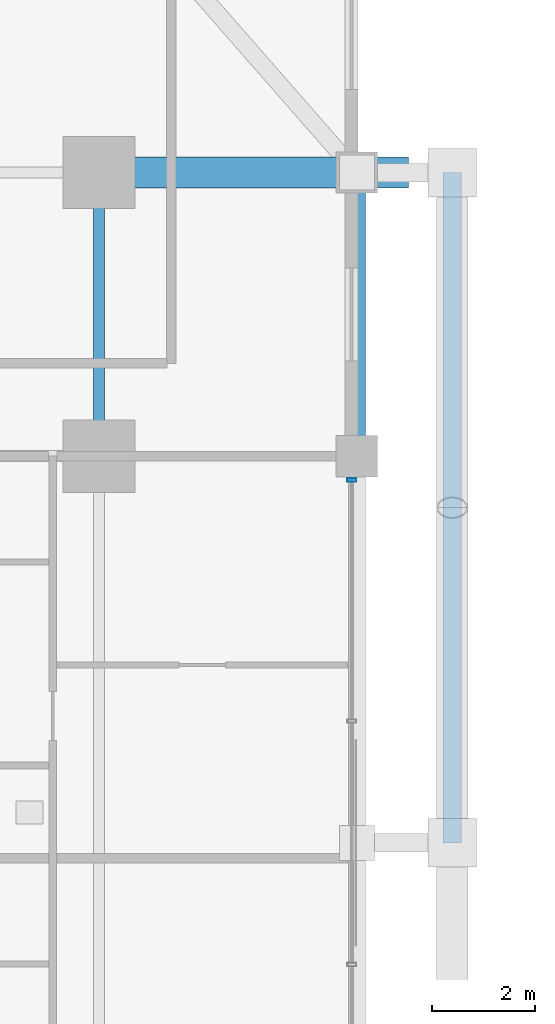
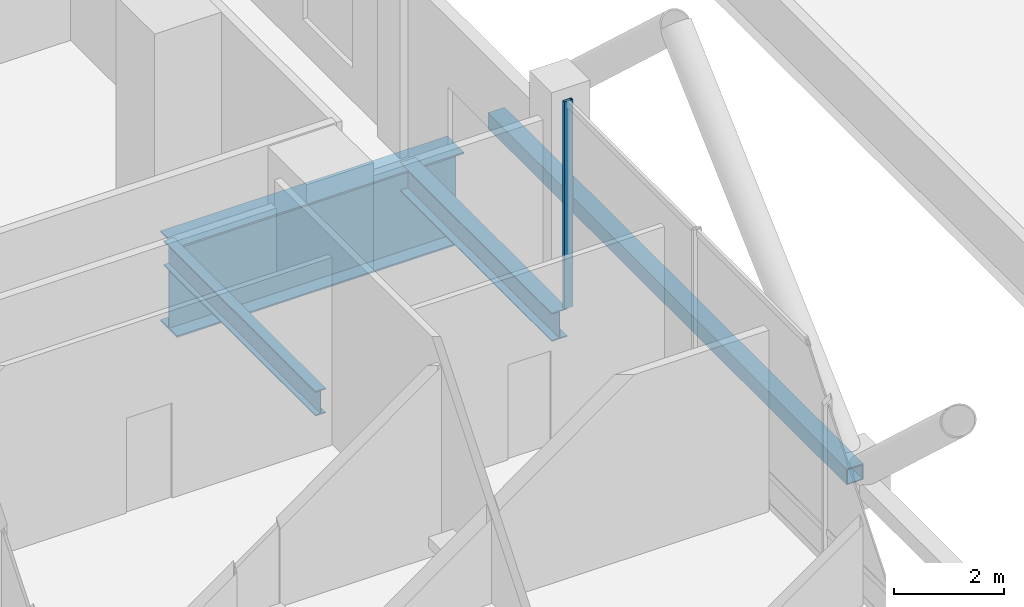
# One storey, part 20 of 33: 3 beams, 2 members, 1 element without a shape of its own.
"""IFC4 building model written with IfcOpenShell, lengths in metres."""

import ifcopenshell
import ifcopenshell.guid

model = None  # the IFC model being written
_history = None  # IfcOwnerHistory: only IFC2X3 demands one
_inside = {}  # id of a spatial element -> (the spatial element, [elements in it])
_under = {}  # id of a project, library or spatial element -> (it, [spatial elements below it])
_declared = {}  # id of a project -> (the project, [libraries it declares])
_typed = {}  # id of a type object -> (the type object, [elements of that type])
_made_of = {}  # id of a material, layer set ... -> (it, [elements and type objects made of it])


def new_model(schema):
    """Start an empty IFC model of exactly this schema.

    Asked for "IFC4X3", IfcOpenShell would pick the latest addendum, in which some entities
    have other attributes; the version numbers below select the first issue.
    IFC2X3 requires an IfcOwnerHistory on every rooted entity: one is made here for all.
    """
    global model, _history
    if schema == "IFC4X3":
        model = ifcopenshell.file(schema_version=(4, 3, 0, 0))
    else:
        model = ifcopenshell.file(schema=schema)
    _inside.clear()
    _under.clear()
    _declared.clear()
    _typed.clear()
    _made_of.clear()
    _history = None
    if model.schema == "IFC2X3":
        org = make("IfcOrganization", Name="unknown")
        user = make(
            "IfcPersonAndOrganization",
            ThePerson=make("IfcPerson", FamilyName="unknown"),
            TheOrganization=org,
        )
        app = make(
            "IfcApplication",
            ApplicationDeveloper=org,
            Version="unknown",
            ApplicationFullName="unknown",
            ApplicationIdentifier="unknown",
        )
        _history = make(
            "IfcOwnerHistory",
            OwningUser=user,
            OwningApplication=app,
            ChangeAction="ADDED",
            CreationDate=0,
        )
    return model


def make(cls, **values):
    """One entity of the class cls with the attributes given. An attribute that is None is left unset."""
    return model.create_entity(
        cls, **{name: value for name, value in values.items() if value is not None}
    )


def rooted(cls, **values):
    """An entity with a GlobalId (a new one), such as an element, a storey or a relation."""
    return make(cls, GlobalId=ifcopenshell.guid.new(), OwnerHistory=_history, **values)


def si_unit(unit_type, name, prefix=None):
    """IfcSIUnit, for example si_unit("LENGTHUNIT", "METRE", prefix="MILLI")."""
    return make("IfcSIUnit", UnitType=unit_type, Prefix=prefix, Name=name)


def assignment(units):
    """IfcUnitAssignment: the units of a project."""
    return None if units is None else make("IfcUnitAssignment", Units=units)


def point(xyz):
    """IfcCartesianPoint."""
    return None if xyz is None else make("IfcCartesianPoint", Coordinates=xyz)


def direction(xyz):
    """IfcDirection."""
    return None if xyz is None else make("IfcDirection", DirectionRatios=xyz)


def frame(location, z_axis=None, x_axis=None):
    """IfcAxis2Placement3D, a coordinate frame: its origin and axes. An axis left out is left unset."""
    return make(
        "IfcAxis2Placement3D",
        Location=point(location),
        Axis=direction(z_axis),
        RefDirection=direction(x_axis),
    )


def frame_2d(location, x_axis=None):
    """IfcAxis2Placement2D, a coordinate frame in the plane: its origin and x axis."""
    return make(
        "IfcAxis2Placement2D", Location=point(location), RefDirection=direction(x_axis)
    )


def origin():
    """The frame at (0, 0, 0) with its axes left unset."""
    return frame((0.0, 0.0, 0.0))


def origin_2d():
    """The frame at (0, 0) in the plane with its x axis left unset."""
    return frame_2d((0.0, 0.0))


def place(relative_to, where):
    """IfcLocalPlacement: puts the frame where relative to a parent placement (None: the world)."""
    return make(
        "IfcLocalPlacement", PlacementRelTo=relative_to, RelativePlacement=where
    )


def context(
    kind, dimensions, precision=None, world=None, true_north=None, identifier=None
):
    """IfcGeometricRepresentationContext, for example the 3D "Model" context."""
    return make(
        "IfcGeometricRepresentationContext",
        ContextIdentifier=identifier,
        ContextType=kind,
        CoordinateSpaceDimension=dimensions,
        Precision=precision,
        WorldCoordinateSystem=world,
        TrueNorth=true_north,
    )


def subcontext(parent, identifier, kind, view, scale=None):
    """IfcGeometricRepresentationSubContext, for example "Body" below "Model"."""
    return make(
        "IfcGeometricRepresentationSubContext",
        ContextIdentifier=identifier,
        ContextType=kind,
        ParentContext=parent,
        TargetScale=scale,
        TargetView=view,
    )


def project(units=None, contexts=None):
    """IfcProject with its units and contexts."""
    return rooted(
        "IfcProject",
        Name="project",
        RepresentationContexts=contexts,
        UnitsInContext=assignment(units),
    )


def spatial(cls, under=None, at=None, **own):
    """A site, building, storey or space (cls), placed at a placement, below another one or the project."""
    s = rooted(cls, ObjectPlacement=at, **own)
    if under is not None:
        _under.setdefault(under.id(), (under, []))[1].append(s)
    return s


def profile(cls, at=None, kind="AREA", **sizes):
    """A parametric profile (cls). Its sizes go by their IFC names, for example OverallWidth=200.0."""
    return make(cls, ProfileType=kind, Position=at, **sizes)


def hollow_rectangle(**sizes):
    """IfcRectangleHollowProfileDef."""
    return profile("IfcRectangleHollowProfileDef", **sizes)


def i_section(**sizes):
    """IfcIShapeProfileDef."""
    return profile("IfcIShapeProfileDef", **sizes)


def extrude(swept, where, along, depth):
    """IfcExtrudedAreaSolid: the profile swept, set in the frame where, extruded along a direction by depth."""
    return make(
        "IfcExtrudedAreaSolid",
        SweptArea=swept,
        Position=where,
        ExtrudedDirection=direction(along),
        Depth=depth,
    )


def shape(context_of_items, identifier, shape_type, items):
    """IfcShapeRepresentation: the items that make up one representation, for example the "Body"."""
    return make(
        "IfcShapeRepresentation",
        ContextOfItems=context_of_items,
        RepresentationIdentifier=identifier,
        RepresentationType=shape_type,
        Items=items,
    )


def material(Name=None, Category=None):
    """IfcMaterial."""
    return make("IfcMaterial", Name=Name, Category=Category)


def layer(
    of_material, thickness, ventilated=None, Name=None, Category=None, Priority=None
):
    """IfcMaterialLayer: one layer of a wall or slab, of a material (None: an air gap)."""
    return make(
        "IfcMaterialLayer",
        Material=of_material,
        LayerThickness=thickness,
        IsVentilated=ventilated,
        Name=Name,
        Category=Category,
        Priority=Priority,
    )


def layer_set(layers, Name=None):
    """IfcMaterialLayerSet."""
    return make("IfcMaterialLayerSet", MaterialLayers=layers, LayerSetName=Name)


def material_profile(
    of_material, cross_section, Name=None, Category=None, Priority=None
):
    """IfcMaterialProfile: a cross section and its material."""
    return make(
        "IfcMaterialProfile",
        Name=Name,
        Material=of_material,
        Profile=cross_section,
        Priority=Priority,
        Category=Category,
    )


def profile_set(profiles, Name=None, composite=None):
    """IfcMaterialProfileSet."""
    return make(
        "IfcMaterialProfileSet",
        Name=Name,
        MaterialProfiles=profiles,
        CompositeProfile=composite,
    )


def made_of(thing, what):
    """Note that an element or type object is made of a material, layer set ...; save() writes the relation."""
    if what is not None:
        _made_of.setdefault(what.id(), (what, []))[1].append(thing)
    return thing


def type_object(cls, material=None, **own):
    """A type object (cls), such as IfcWallType, which elements share."""
    return made_of(rooted(cls, **own), material)


def element(
    cls,
    number,
    at=None,
    inside=None,
    cuts=None,
    type_object=None,
    material=None,
    context=None,
    identifier="Body",
    shape_type=None,
    held_by="IfcProductDefinitionShape",
    body=None,
    shapes=None,
    **own,
):
    """One element of the class cls, such as IfcWall. Its Tag is "e" and its number.

    at: its placement. inside: the storey or other place that contains it. cuts: it is an
    opening in that element (IfcRelVoidsElement). A single representation is given by context,
    identifier, shape_type and body (its items); several are given by shapes. held_by: the class
    of the entity that holds the representations. save() writes the other relations.
    """
    e = rooted(cls, Tag="e%d" % number, ObjectPlacement=at, **own)
    if body is not None:
        shapes = [shape(context, identifier, shape_type, body)]
    if shapes is not None:
        e.Representation = make(held_by, Representations=shapes)
    if inside is not None:
        _inside.setdefault(inside.id(), (inside, []))[1].append(e)
    if cuts is not None:
        rooted(
            "IfcRelVoidsElement", RelatingBuildingElement=cuts, RelatedOpeningElement=e
        )
    if type_object is not None:
        _typed.setdefault(type_object.id(), (type_object, []))[1].append(e)
    return made_of(e, material)


def aggregate(whole, parts):
    """IfcRelAggregates: a whole, such as a stair, and the parts it consists of."""
    return rooted("IfcRelAggregates", RelatingObject=whole, RelatedObjects=parts)


def save(model, path):
    """Write the relations noted so far, then the file.

    IfcRelAggregates (storeys below a building ...), IfcRelContainedInSpatialStructure (elements
    in a storey), IfcRelDefinesByType, IfcRelAssociatesMaterial and IfcRelDeclares: one each for
    every whole, place, type object, material and project.
    """
    for whole, parts in _under.values():
        aggregate(whole, parts)
    for where, things in _inside.values():
        rooted(
            "IfcRelContainedInSpatialStructure",
            RelatedElements=things,
            RelatingStructure=where,
        )
    for kind, things in _typed.values():
        rooted("IfcRelDefinesByType", RelatedObjects=things, RelatingType=kind)
    for what, things in _made_of.values():
        rooted("IfcRelAssociatesMaterial", RelatedObjects=things, RelatingMaterial=what)
    for by, libraries in _declared.values():
        rooted("IfcRelDeclares", RelatingContext=by, RelatedDefinitions=libraries)
    model.write(path)


model = new_model("IFC4")

# Units and contexts
model_context = context("Model", 3, precision=1e-05, world=origin(), true_north=direction((0.0, 1.0)))
body_context = subcontext(model_context, "Body", "Model", "MODEL_VIEW")
ifc_project = project(units=[si_unit("LENGTHUNIT", "METRE"), si_unit("AREAUNIT", "SQUARE_METRE"), si_unit("VOLUMEUNIT", "CUBIC_METRE"), si_unit("PLANEANGLEUNIT", "RADIAN"), si_unit("MASSUNIT", "GRAM", prefix="KILO")], contexts=[model_context])

# Site, building, storey
site_placement = place(None, origin())
site = spatial("IfcSite", under=ifc_project, at=site_placement, CompositionType="ELEMENT")
building_placement = place(site_placement, origin())
building = spatial("IfcBuilding", under=site, at=building_placement, Name="Barlavira Tower and Art Museum", CompositionType="ELEMENT")
storey_placement = place(building_placement, frame((0.0, 0.0, 27.60009765625)))
storey = spatial("IfcBuildingStorey", under=building, at=storey_placement, Name="L05", CompositionType="ELEMENT", Elevation=27.60009765625)

# Curtain wall, member
ifc_material_1 = material(Name="Low-iron coastal laminated glass", Category="glass")
ifc_layer = layer(ifc_material_1, 0.179931640625, Name="Low-iron coastal laminated glass")
ifc_layer_set = layer_set([ifc_layer], Name="Low-iron coastal laminated glass")
curtain_wall_type = type_object("IfcCurtainWallType", Name="Pale-Metal Unitised Curtain Wall Zone 1", PredefinedType="NOTDEFINED", material=ifc_layer_set)
curtain_wall_placement = place(storey_placement, origin())
curtain_wall = element("IfcCurtainWall", 1, at=curtain_wall_placement, inside=storey, type_object=curtain_wall_type, Name="L05 Curtain Wall CW1-L05-E-B3", PredefinedType="NOTDEFINED")
ifc_material_2 = material(Name="Pale anodised aluminium", Category="aluminium")
ifc_material_profile_1 = material_profile(ifc_material_2, hollow_rectangle(XDim=0.06494140625, YDim=0.179931640625, WallThickness=0.00390625, at=origin_2d()), Name="ALU-MULL 65x180x4")
ifc_profile_set_1 = profile_set([ifc_material_profile_1], Name="Pale anodised aluminium")
member_type_1 = type_object("IfcMemberType", Name="Curtain Wall Pale-Metal Mullion 65x180", PredefinedType="MULLION", material=ifc_profile_set_1)
member_1_placement = place(storey_placement, frame((21.89990234375, 7.034912109375, 0.0), z_axis=(0.0, 0.0, 1.0), x_axis=(0.0, 1.0, 0.0)))
member_1 = element("IfcMember", 2, at=member_1_placement, type_object=member_type_1, Name="CW1-L05-E-B3 Mullion 3", PredefinedType="MULLION", context=body_context, shape_type="SweptSolid", body=[
    extrude(hollow_rectangle(XDim=0.06494140625, YDim=0.179931640625, WallThickness=0.00390625, at=origin_2d()), origin(), (0.0, 0.0, 1.0), 4.579833984375),
])
aggregate(curtain_wall, [member_1])

# Member
ifc_material_3 = material(Name="Steel S355", Category="steel")
ifc_material_profile_2 = material_profile(ifc_material_3, hollow_rectangle(XDim=0.35009765625, YDim=0.35009765625, WallThickness=0.02001953125, at=origin_2d()), Name="SHS 350x350x20.0")
ifc_profile_set_2 = profile_set([ifc_material_profile_2], Name="Steel S355")
member_type_2 = type_object("IfcMemberType", Name="Pale-Metal Exoskeleton Ring Strut SHS 350x350x20 Steel S355", PredefinedType="STRUT", material=ifc_profile_set_2)
member_2_placement = place(storey_placement, frame((23.85009765625, 0.0, -0.1201171875), z_axis=(0.0, 1.0, 0.0), x_axis=(-1.0, 0.0, 0.0)))
element("IfcMember", 3, at=member_2_placement, inside=storey, type_object=member_type_2, Name="L05 Exoskeleton Ring Strut E", PredefinedType="STRUT", context=body_context, shape_type="SweptSolid", body=[
    extrude(hollow_rectangle(XDim=0.35009765625, YDim=0.35009765625, WallThickness=0.02001953125, at=origin_2d()), origin(), (0.0, 0.0, 1.0), 13.0),
])

# Beams
ifc_material_profile_3 = material_profile(ifc_material_3, i_section(OverallWidth=0.327880859375, OverallDepth=0.62890625, WebThickness=0.013916015625, FlangeThickness=0.021484375, at=origin_2d()), Name="W610x174.0")
ifc_profile_set_3 = profile_set([ifc_material_profile_3], Name="Steel S355")
beam_type_1 = type_object("IfcBeamType", Name="Perimeter Spandrel Edge Beam W610x174 Steel S355", PredefinedType="SPANDREL", material=ifc_profile_set_3)
beam_1_placement = place(storey_placement, frame((22.0, 7.5, -0.714599609375), z_axis=(0.0, 1.0, 0.0), x_axis=(-1.0, 0.0, 0.0)))
element("IfcBeam", 4, at=beam_1_placement, inside=storey, type_object=beam_type_1, Name="L05 Spandrel 7", PredefinedType="SPANDREL", context=body_context, shape_type="SweptSolid", body=[
    extrude(i_section(OverallWidth=0.327880859375, OverallDepth=0.62890625, WebThickness=0.013916015625, FlangeThickness=0.021484375, at=origin_2d()), origin(), (0.0, 0.0, 1.0), 5.5),
])
ifc_material_profile_4 = material_profile(ifc_material_3, i_section(OverallWidth=0.60009765625, OverallDepth=2.0, WebThickness=0.028076171875, FlangeThickness=0.034912109375, at=origin_2d()), Name="CVS2000x580")
ifc_profile_set_4 = profile_set([ifc_material_profile_4], Name="Steel S355")
beam_type_2 = type_object("IfcBeamType", Name="Podium Top Transfer Girder CVS2000x580 Steel S355", PredefinedType="USERDEFINED", material=ifc_profile_set_4)
beam_2_placement = place(storey_placement, frame((17.0, 13.0, -1.400146484375), z_axis=(1.0, 0.0, 0.0), x_axis=(0.0, 1.0, 0.0)))
element("IfcBeam", 5, at=beam_2_placement, inside=storey, type_object=beam_type_2, Name="L05 Transfer Girder TG05-08", ObjectType="TRANSFER GIRDER", PredefinedType="USERDEFINED", context=body_context, shape_type="SweptSolid", body=[
    extrude(i_section(OverallWidth=0.60009765625, OverallDepth=2.0, WebThickness=0.028076171875, FlangeThickness=0.034912109375, at=origin_2d()), origin(), (0.0, 0.0, 1.0), 6.0),
])
ifc_material_profile_5 = material_profile(ifc_material_3, i_section(OverallWidth=0.214111328125, OverallDepth=0.549072265625, WebThickness=0.0146484375, FlangeThickness=0.023681640625, at=origin_2d()), Name="W530x138.0")
ifc_profile_set_5 = profile_set([ifc_material_profile_5], Name="Steel S355")
beam_type_3 = type_object("IfcBeamType", Name="Zone 1 Primary Floor Girder W530x138 Steel S355", PredefinedType="BEAM", material=ifc_profile_set_5)
beam_3_placement = place(storey_placement, frame((17.0, 7.5, -0.674560546875), z_axis=(0.0, 1.0, 0.0), x_axis=(-1.0, 0.0, 0.0)))
element("IfcBeam", 6, at=beam_3_placement, inside=storey, type_object=beam_type_3, Name="L05 Girder M-E3", PredefinedType="BEAM", context=body_context, shape_type="SweptSolid", body=[
    extrude(i_section(OverallWidth=0.214111328125, OverallDepth=0.549072265625, WebThickness=0.0146484375, FlangeThickness=0.023681640625, at=origin_2d()), origin(), (0.0, 0.0, 1.0), 5.5),
])

save(model, "model.ifc")
